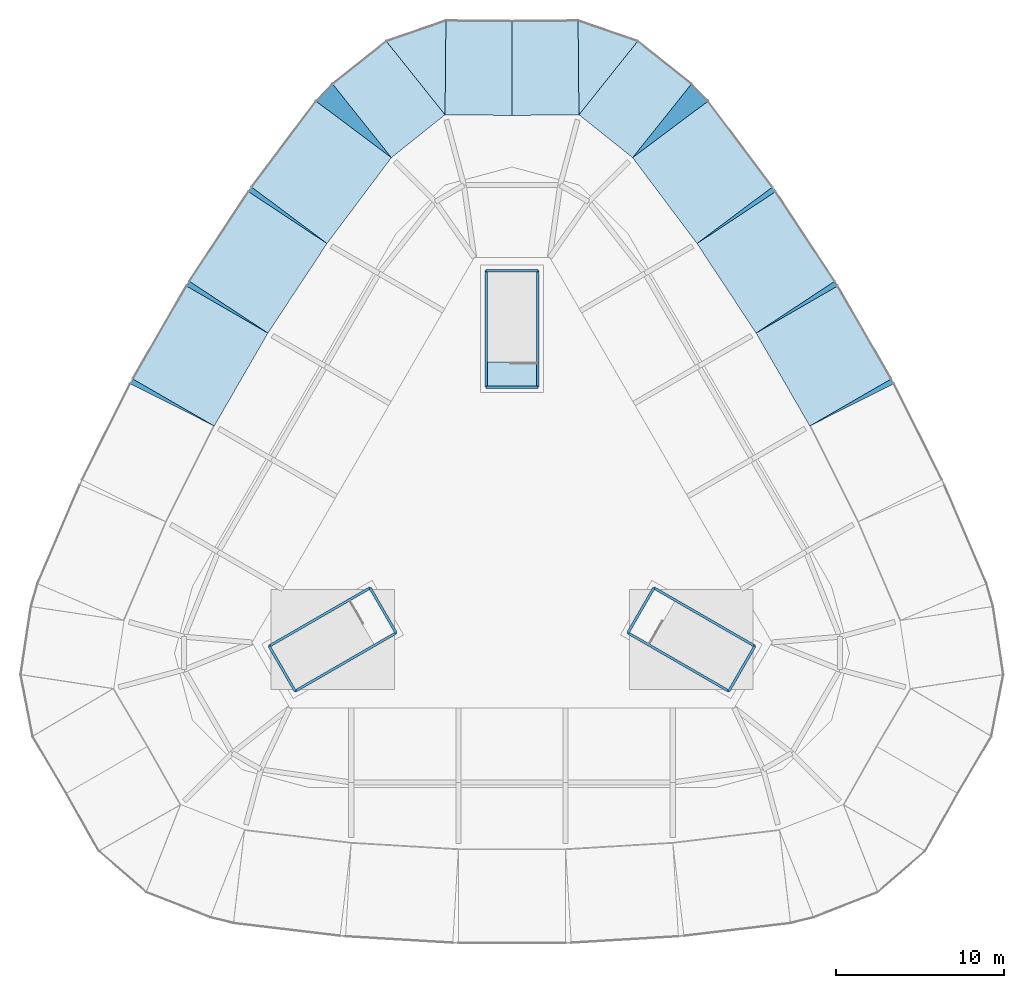
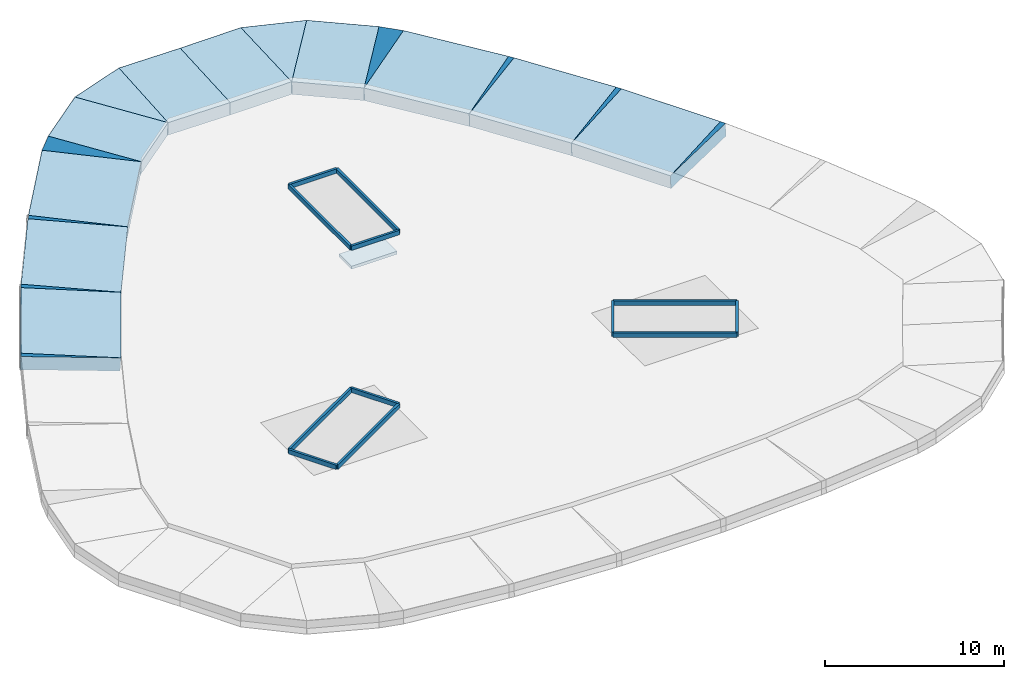
# One storey, part 3 of 9: 21 slabs, 12 walls.
"""IFC4 building model written with IfcOpenShell, lengths in metres."""

import ifcopenshell
import ifcopenshell.guid

model = None  # the IFC model being written
_history = None  # IfcOwnerHistory: only IFC2X3 demands one
_inside = {}  # id of a spatial element -> (the spatial element, [elements in it])
_under = {}  # id of a project, library or spatial element -> (it, [spatial elements below it])
_declared = {}  # id of a project -> (the project, [libraries it declares])
_typed = {}  # id of a type object -> (the type object, [elements of that type])
_made_of = {}  # id of a material, layer set ... -> (it, [elements and type objects made of it])


def new_model(schema):
    """Start an empty IFC model of exactly this schema.

    Asked for "IFC4X3", IfcOpenShell would pick the latest addendum, in which some entities
    have other attributes; the version numbers below select the first issue.
    IFC2X3 requires an IfcOwnerHistory on every rooted entity: one is made here for all.
    """
    global model, _history
    if schema == "IFC4X3":
        model = ifcopenshell.file(schema_version=(4, 3, 0, 0))
    else:
        model = ifcopenshell.file(schema=schema)
    _inside.clear()
    _under.clear()
    _declared.clear()
    _typed.clear()
    _made_of.clear()
    _history = None
    if model.schema == "IFC2X3":
        org = make("IfcOrganization", Name="unknown")
        user = make(
            "IfcPersonAndOrganization",
            ThePerson=make("IfcPerson", FamilyName="unknown"),
            TheOrganization=org,
        )
        app = make(
            "IfcApplication",
            ApplicationDeveloper=org,
            Version="unknown",
            ApplicationFullName="unknown",
            ApplicationIdentifier="unknown",
        )
        _history = make(
            "IfcOwnerHistory",
            OwningUser=user,
            OwningApplication=app,
            ChangeAction="ADDED",
            CreationDate=0,
        )
    return model


def make(cls, **values):
    """One entity of the class cls with the attributes given. An attribute that is None is left unset."""
    return model.create_entity(
        cls, **{name: value for name, value in values.items() if value is not None}
    )


def rooted(cls, **values):
    """An entity with a GlobalId (a new one), such as an element, a storey or a relation."""
    return make(cls, GlobalId=ifcopenshell.guid.new(), OwnerHistory=_history, **values)


def si_unit(unit_type, name, prefix=None):
    """IfcSIUnit, for example si_unit("LENGTHUNIT", "METRE", prefix="MILLI")."""
    return make("IfcSIUnit", UnitType=unit_type, Prefix=prefix, Name=name)


def assignment(units):
    """IfcUnitAssignment: the units of a project."""
    return None if units is None else make("IfcUnitAssignment", Units=units)


def point(xyz):
    """IfcCartesianPoint."""
    return None if xyz is None else make("IfcCartesianPoint", Coordinates=xyz)


def direction(xyz):
    """IfcDirection."""
    return None if xyz is None else make("IfcDirection", DirectionRatios=xyz)


def frame(location, z_axis=None, x_axis=None):
    """IfcAxis2Placement3D, a coordinate frame: its origin and axes. An axis left out is left unset."""
    return make(
        "IfcAxis2Placement3D",
        Location=point(location),
        Axis=direction(z_axis),
        RefDirection=direction(x_axis),
    )


def frame_2d(location, x_axis=None):
    """IfcAxis2Placement2D, a coordinate frame in the plane: its origin and x axis."""
    return make(
        "IfcAxis2Placement2D", Location=point(location), RefDirection=direction(x_axis)
    )


def origin():
    """The frame at (0, 0, 0) with its axes left unset."""
    return frame((0.0, 0.0, 0.0))


def place(relative_to, where):
    """IfcLocalPlacement: puts the frame where relative to a parent placement (None: the world)."""
    return make(
        "IfcLocalPlacement", PlacementRelTo=relative_to, RelativePlacement=where
    )


def context(
    kind, dimensions, precision=None, world=None, true_north=None, identifier=None
):
    """IfcGeometricRepresentationContext, for example the 3D "Model" context."""
    return make(
        "IfcGeometricRepresentationContext",
        ContextIdentifier=identifier,
        ContextType=kind,
        CoordinateSpaceDimension=dimensions,
        Precision=precision,
        WorldCoordinateSystem=world,
        TrueNorth=true_north,
    )


def subcontext(parent, identifier, kind, view, scale=None):
    """IfcGeometricRepresentationSubContext, for example "Body" below "Model"."""
    return make(
        "IfcGeometricRepresentationSubContext",
        ContextIdentifier=identifier,
        ContextType=kind,
        ParentContext=parent,
        TargetScale=scale,
        TargetView=view,
    )


def project(units=None, contexts=None):
    """IfcProject with its units and contexts."""
    return rooted(
        "IfcProject",
        Name="project",
        RepresentationContexts=contexts,
        UnitsInContext=assignment(units),
    )


def spatial(cls, under=None, at=None, **own):
    """A site, building, storey or space (cls), placed at a placement, below another one or the project."""
    s = rooted(cls, ObjectPlacement=at, **own)
    if under is not None:
        _under.setdefault(under.id(), (under, []))[1].append(s)
    return s


def polyline(points):
    """IfcPolyline through the points."""
    return make("IfcPolyline", Points=[point(p) for p in points])


def profile(cls, at=None, kind="AREA", **sizes):
    """A parametric profile (cls). Its sizes go by their IFC names, for example OverallWidth=200.0."""
    return make(cls, ProfileType=kind, Position=at, **sizes)


def rectangle(**sizes):
    """IfcRectangleProfileDef."""
    return profile("IfcRectangleProfileDef", **sizes)


def outline(outer, holes=None, kind="AREA"):
    """IfcArbitraryClosedProfileDef: a profile drawn as a closed curve; with holes, ...WithVoids."""
    if holes is None:
        return make("IfcArbitraryClosedProfileDef", ProfileType=kind, OuterCurve=outer)
    return make(
        "IfcArbitraryProfileDefWithVoids",
        ProfileType=kind,
        OuterCurve=outer,
        InnerCurves=holes,
    )


def extrude(swept, where, along, depth):
    """IfcExtrudedAreaSolid: the profile swept, set in the frame where, extruded along a direction by depth."""
    return make(
        "IfcExtrudedAreaSolid",
        SweptArea=swept,
        Position=where,
        ExtrudedDirection=direction(along),
        Depth=depth,
    )


def shape(context_of_items, identifier, shape_type, items):
    """IfcShapeRepresentation: the items that make up one representation, for example the "Body"."""
    return make(
        "IfcShapeRepresentation",
        ContextOfItems=context_of_items,
        RepresentationIdentifier=identifier,
        RepresentationType=shape_type,
        Items=items,
    )


def material(Name=None, Category=None):
    """IfcMaterial."""
    return make("IfcMaterial", Name=Name, Category=Category)


def layer(
    of_material, thickness, ventilated=None, Name=None, Category=None, Priority=None
):
    """IfcMaterialLayer: one layer of a wall or slab, of a material (None: an air gap)."""
    return make(
        "IfcMaterialLayer",
        Material=of_material,
        LayerThickness=thickness,
        IsVentilated=ventilated,
        Name=Name,
        Category=Category,
        Priority=Priority,
    )


def layer_set(layers, Name=None):
    """IfcMaterialLayerSet."""
    return make("IfcMaterialLayerSet", MaterialLayers=layers, LayerSetName=Name)


def made_of(thing, what):
    """Note that an element or type object is made of a material, layer set ...; save() writes the relation."""
    if what is not None:
        _made_of.setdefault(what.id(), (what, []))[1].append(thing)
    return thing


def type_object(cls, material=None, **own):
    """A type object (cls), such as IfcWallType, which elements share."""
    return made_of(rooted(cls, **own), material)


def element(
    cls,
    number,
    at=None,
    inside=None,
    cuts=None,
    type_object=None,
    material=None,
    context=None,
    identifier="Body",
    shape_type=None,
    held_by="IfcProductDefinitionShape",
    body=None,
    shapes=None,
    **own,
):
    """One element of the class cls, such as IfcWall. Its Tag is "e" and its number.

    at: its placement. inside: the storey or other place that contains it. cuts: it is an
    opening in that element (IfcRelVoidsElement). A single representation is given by context,
    identifier, shape_type and body (its items); several are given by shapes. held_by: the class
    of the entity that holds the representations. save() writes the other relations.
    """
    e = rooted(cls, Tag="e%d" % number, ObjectPlacement=at, **own)
    if body is not None:
        shapes = [shape(context, identifier, shape_type, body)]
    if shapes is not None:
        e.Representation = make(held_by, Representations=shapes)
    if inside is not None:
        _inside.setdefault(inside.id(), (inside, []))[1].append(e)
    if cuts is not None:
        rooted(
            "IfcRelVoidsElement", RelatingBuildingElement=cuts, RelatedOpeningElement=e
        )
    if type_object is not None:
        _typed.setdefault(type_object.id(), (type_object, []))[1].append(e)
    return made_of(e, material)


def aggregate(whole, parts):
    """IfcRelAggregates: a whole, such as a stair, and the parts it consists of."""
    return rooted("IfcRelAggregates", RelatingObject=whole, RelatedObjects=parts)


def save(model, path):
    """Write the relations noted so far, then the file.

    IfcRelAggregates (storeys below a building ...), IfcRelContainedInSpatialStructure (elements
    in a storey), IfcRelDefinesByType, IfcRelAssociatesMaterial and IfcRelDeclares: one each for
    every whole, place, type object, material and project.
    """
    for whole, parts in _under.values():
        aggregate(whole, parts)
    for where, things in _inside.values():
        rooted(
            "IfcRelContainedInSpatialStructure",
            RelatedElements=things,
            RelatingStructure=where,
        )
    for kind, things in _typed.values():
        rooted("IfcRelDefinesByType", RelatedObjects=things, RelatingType=kind)
    for what, things in _made_of.values():
        rooted("IfcRelAssociatesMaterial", RelatedObjects=things, RelatingMaterial=what)
    for by, libraries in _declared.values():
        rooted("IfcRelDeclares", RelatingContext=by, RelatedDefinitions=libraries)
    model.write(path)


model = new_model("IFC4")

# Units and contexts
model_context = context("Model", 3, precision=1e-05, world=origin(), true_north=direction((0.0, 1.0)))
body_context = subcontext(model_context, "Body", "Model", "MODEL_VIEW")
ifc_project = project(units=[si_unit("LENGTHUNIT", "METRE"), si_unit("AREAUNIT", "SQUARE_METRE"), si_unit("VOLUMEUNIT", "CUBIC_METRE"), si_unit("PLANEANGLEUNIT", "RADIAN"), si_unit("MASSUNIT", "GRAM", prefix="KILO")], contexts=[model_context])

# Site, building, storey
site_placement = place(None, origin())
site = spatial("IfcSite", under=ifc_project, at=site_placement, CompositionType="ELEMENT")
building_placement = place(site_placement, origin())
building = spatial("IfcBuilding", under=site, at=building_placement, Name="Mestral Congress Tower", CompositionType="ELEMENT")
storey_placement = place(building_placement, frame((0.0, 0.0, 348.60009765625)))
storey = spatial("IfcBuildingStorey", under=building, at=storey_placement, Name="L81", CompositionType="ELEMENT", Elevation=348.60009765625)

# Slabs
ifc_material_1 = material(Name="Steel S355", Category="steel")
ifc_layer_1 = layer(ifc_material_1, 0.89990234375)
ifc_layer_set_1 = layer_set([ifc_layer_1], Name="Steel S355")
slab_type_1 = type_object("IfcSlabType", Name="Canopy edge plate 900", PredefinedType="ROOF", material=ifc_layer_set_1)
slab_1_placement = place(storey_placement, frame((17.755615234375, 6.556640625, 0.89990234375), z_axis=(-0.049416742279, -0.028531261991, 0.998370648943), x_axis=(-0.499992213026, 0.866029899549, 9.41157e-07)))
element("IfcSlab", 1, at=slab_1_placement, inside=storey, type_object=slab_type_1, Name="SL-L81-CANF-11", PredefinedType="ROOF", context=body_context, shape_type="SweptSolid", body=[
    extrude(outline(polyline([(0.0, 0.0), (6.399026035537984, 0.0), (6.399185418404608, -5.609048783814043), (3.7314455240293794e-05, -5.609259872402829), (0.0, 0.0)])), origin(), (0.0, 0.0, -1.0), 0.89990234375),
])
slab_2_placement = place(storey_placement, frame((14.55615234375, 12.098388671875, 0.89990234375), z_axis=(-0.04762959463, -0.031426497474, 0.998370570966), x_axis=(-0.550723172588, 0.834687957966, 5.98514e-07)))
element("IfcSlab", 2, at=slab_2_placement, inside=storey, type_object=slab_type_1, Name="SL-L81-CANF-12", PredefinedType="ROOF", context=body_context, shape_type="SweptSolid", body=[
    extrude(outline(polyline([(0.0, 0.0), (6.399168003100194, 4.440892098500626e-16), (6.399212908001433, -5.608953103937561), (0.0002486861409752194, -5.609087338747072), (0.0, 0.0)])), origin(), (0.0, 0.0, -1.0), 0.89990234375),
])
slab_3_placement = place(storey_placement, frame((11.031982421875, 17.439697265625, 0.89990234375), z_axis=(-0.04566808471, -0.034212420805, 0.998370640745), x_axis=(-0.599566499574, 0.800324941876, 0.0)))
element("IfcSlab", 3, at=slab_3_placement, inside=storey, type_object=slab_type_1, Name="SL-L81-CANF-13", PredefinedType="ROOF", context=body_context, shape_type="SweptSolid", body=[
    extrude(outline(polyline([(0.0, 0.0), (6.399073204720481, -4.440892098500626e-16), (6.398884435551513, -5.609140228640438), (-0.00018876916896770512, -5.609140228640437), (0.0, 0.0)])), origin(), (0.0, 0.0, -1.0), 0.89990234375),
])
slab_4_placement = place(storey_placement, frame((7.1953125, 22.56103515625, 0.89990234375), z_axis=(-0.035593382996, -0.04460225664, 0.998370547337), x_axis=(-0.781624111354, 0.623749748336, 0.0)))
element("IfcSlab", 4, at=slab_4_placement, inside=storey, type_object=slab_type_1, Name="SL-L81-CANF-14", PredefinedType="ROOF", context=body_context, shape_type="SweptSolid", body=[
    extrude(outline(polyline([(0.0, 0.0), (4.096475851196139, 0.0), (4.096448831428572, -5.6089795857197995), (-2.701976756780411e-05, -5.6089795857198), (0.0, 0.0)])), origin(), (0.0, 0.0, -1.0), 0.89990234375),
])
slab_5_placement = place(storey_placement, frame((3.993408203125, 25.1162109375, 0.89990234375), z_axis=(0.000542571971, -0.057059607642, 0.998370625966), x_axis=(-0.999954524878, -0.009536675224, -1.61428e-06)))
element("IfcSlab", 5, at=slab_5_placement, inside=storey, type_object=slab_type_1, Name="SL-L81-CANF-15", PredefinedType="ROOF", context=body_context, shape_type="SweptSolid", body=[
    extrude(outline(polyline([(0.0, 0.0), (3.9935898156144676, -6.938893903907228e-18), (3.94018065807436, -5.6092262798310495), (-0.0001819367273693999, -5.609001829671348), (0.0, 0.0)])), origin(), (0.0, 0.0, -1.0), 0.89990234375),
])
slab_6_placement = place(storey_placement, frame((0.0, 25.078125, 0.89990234375), z_axis=(-0.000542571971, -0.057059607642, 0.998370625966), x_axis=(-0.999954524878, 0.009536675224, 1.61428e-06)))
element("IfcSlab", 6, at=slab_6_placement, inside=storey, type_object=slab_type_1, Name="SL-L81-CANF-16", PredefinedType="ROOF", context=body_context, shape_type="SweptSolid", body=[
    extrude(outline(polyline([(0.0, 0.0), (3.9935898156144676, 6.938893903907228e-18), (3.993771752341837, -5.609001829671348), (0.0534091575401076, -5.609226279831049), (0.0, 0.0)])), origin(), (0.0, 0.0, -1.0), 0.89990234375),
])
slab_7_placement = place(storey_placement, frame((-3.993408203125, 25.1162109375, 0.89990234375), z_axis=(0.035593382996, -0.04460225664, 0.998370547337), x_axis=(-0.781624111354, -0.623749748336, 0.0)))
element("IfcSlab", 7, at=slab_7_placement, inside=storey, type_object=slab_type_1, Name="SL-L81-CANF-17", PredefinedType="ROOF", context=body_context, shape_type="SweptSolid", body=[
    extrude(outline(polyline([(0.0, 0.0), (4.096475851196139, 0.0), (4.0965028709637075, -5.608979585719801), (2.701976756780411e-05, -5.6089795857198), (0.0, 0.0)])), origin(), (0.0, 0.0, -1.0), 0.89990234375),
])
slab_8_placement = place(storey_placement, frame((-7.1953125, 22.56103515625, 0.89990234375), z_axis=(0.04566808471, -0.034212420805, 0.998370640745), x_axis=(-0.599566499574, -0.800324941876, 0.0)))
element("IfcSlab", 8, at=slab_8_placement, inside=storey, type_object=slab_type_1, Name="SL-L81-CANF-18", PredefinedType="ROOF", context=body_context, shape_type="SweptSolid", body=[
    extrude(outline(polyline([(0.0, 0.0), (6.399073204720481, 4.440892098500626e-16), (6.399261973889448, -5.609140228640437), (0.00018876916896770512, -5.609140228640437), (0.0, 0.0)])), origin(), (0.0, 0.0, -1.0), 0.89990234375),
])
slab_9_placement = place(storey_placement, frame((-11.031982421875, 17.439697265625, 0.89990234375), z_axis=(0.04762959463, -0.031426497474, 0.998370570966), x_axis=(-0.550723172588, -0.834687957966, -5.98514e-07)))
element("IfcSlab", 9, at=slab_9_placement, inside=storey, type_object=slab_type_1, Name="SL-L81-CANF-19", PredefinedType="ROOF", context=body_context, shape_type="SweptSolid", body=[
    extrude(outline(polyline([(0.0, 0.0), (6.399168003100194, -4.440892098500626e-16), (6.398919316959218, -5.609087338747072), (-4.490490123703169e-05, -5.608953103937561), (0.0, 0.0)])), origin(), (0.0, 0.0, -1.0), 0.89990234375),
])
slab_10_placement = place(storey_placement, frame((-14.55615234375, 12.098388671875, 0.89990234375), z_axis=(0.049416742279, -0.028531261991, 0.998370648943), x_axis=(-0.499992213026, -0.866029899549, -9.41157e-07)))
element("IfcSlab", 10, at=slab_10_placement, inside=storey, type_object=slab_type_1, Name="SL-L81-CANF-20", PredefinedType="ROOF", context=body_context, shape_type="SweptSolid", body=[
    extrude(outline(polyline([(0.0, 0.0), (6.399026035537984, 0.0), (6.398988721082744, -5.609259872402829), (-0.00015938286662369632, -5.609048783814043), (0.0, 0.0)])), origin(), (0.0, 0.0, -1.0), 0.89990234375),
])
slab_11_placement = place(storey_placement, frame((17.755615234375, 6.556640625, 0.89990234375), z_axis=(-0.05025950905, -0.027069229356, 0.998369289678), x_axis=(0.8928480589, 0.446728696332, 0.057059754569)))
element("IfcSlab", 11, at=slab_11_placement, inside=storey, type_object=slab_type_1, Name="SL-L81-CANW-11", PredefinedType="ROOF", context=body_context, shape_type="SweptSolid", body=[
    extrude(outline(polyline([(0.0, 0.0), (5.60935394474424, 8.263788958684515e-16), (5.5993074820620246, 0.3339940701593384), (0.0, 0.0)])), origin(), (0.0, 0.0, -1.0), 0.89990234375),
])
slab_12_placement = place(storey_placement, frame((14.55615234375, 12.098388671875, 0.89990234375), z_axis=(-0.04856923731, -0.030001101053, 0.998369151728), x_axis=(0.864604598739, 0.4992020813, 0.057062858888)))
element("IfcSlab", 12, at=slab_12_placement, inside=storey, type_object=slab_type_1, Name="SL-L81-CANW-12", PredefinedType="ROOF", context=body_context, shape_type="SweptSolid", body=[
    extrude(outline(polyline([(0.0, 0.0), (5.609048786081743, -1.7520707107365752e-16), (5.599141685529867, 0.3338760562154513), (0.0, 0.0)])), origin(), (0.0, 0.0, -1.0), 0.89990234375),
])
slab_13_placement = place(storey_placement, frame((11.031982421875, 17.439697265625, 0.89990234375), z_axis=(-0.046709643798, -0.032821865776, 0.998369137295), x_axis=(0.833323470327, 0.549832440698, 0.057063832311)))
element("IfcSlab", 13, at=slab_13_placement, inside=storey, type_object=slab_type_1, Name="SL-L81-CANW-13", PredefinedType="ROOF", context=body_context, shape_type="SweptSolid", body=[
    extrude(outline(polyline([(0.0, 0.0), (5.608953104118626, -5.40474782984024e-16), (5.5991842472911975, 0.33405075224046976), (0.0, 0.0)])), origin(), (0.0, 0.0, -1.0), 0.89990234375),
])
slab_14_placement = place(storey_placement, frame((7.1953125, 22.56103515625, 0.89990234375), z_axis=(-0.041290114986, -0.04005418003, 0.998344023404), x_axis=(0.799041102294, 0.598562655994, 0.057061928593)))
element("IfcSlab", 14, at=slab_14_placement, inside=storey, type_object=slab_type_1, Name="SL-L81-CANW-14", PredefinedType="ROOF", context=body_context, shape_type="SweptSolid", body=[
    extrude(outline(polyline([(0.0, 0.0), (5.609140231816844, 7.24247051220317e-17), (5.429130990127506, 1.4089672408500706), (0.0, 0.0)])), origin(), (0.0, 0.0, -1.0), 0.89990234375),
])
slab_15_placement = place(storey_placement, frame((3.993408203125, 25.1162109375, 0.89990234375), z_axis=(-0.019736093414, -0.057241764544, 0.998165250351), x_axis=(0.622737142907, 0.780347487107, 0.057063562896)))
element("IfcSlab", 15, at=slab_15_placement, inside=storey, type_object=slab_type_1, Name="SL-L81-CANW-15", PredefinedType="ROOF", context=body_context, shape_type="SweptSolid", body=[
    extrude(outline(polyline([(0.0, 0.0), (5.608979585784881, -2.8102520310824275e-16), (4.354761620625484, 3.5351029385191186), (0.0, 0.0)])), origin(), (0.0, 0.0, -1.0), 0.89990234375),
])
slab_16_placement = place(storey_placement, frame((-3.993408203125, 25.1162109375, 0.89990234375), z_axis=(0.019736093414, -0.057241764544, 0.998165250351), x_axis=(0.009488792808, 0.998325467185, 0.057063336566)))
element("IfcSlab", 16, at=slab_16_placement, inside=storey, type_object=slab_type_1, Name="SL-L81-CANW-17", PredefinedType="ROOF", context=body_context, shape_type="SweptSolid", body=[
    extrude(outline(polyline([(0.0, 0.0), (5.609001832625766, 6.938893903907228e-18), (4.354744348445556, 3.535088917330512), (0.0, 0.0)])), origin(), (0.0, 0.0, -1.0), 0.89990234375),
])
slab_17_placement = place(storey_placement, frame((-7.1953125, 22.56103515625, 0.89990234375), z_axis=(0.041290114986, -0.04005418003, 0.998344023404), x_axis=(-0.622737142907, 0.780347487107, 0.057063562896)))
element("IfcSlab", 17, at=slab_17_placement, inside=storey, type_object=slab_type_1, Name="SL-L81-CANW-18", PredefinedType="ROOF", context=body_context, shape_type="SweptSolid", body=[
    extrude(outline(polyline([(0.0, 0.0), (5.608979585784881, -3.95516952522712e-16), (5.429286485139964, 1.4090075948918264), (0.0, 0.0)])), origin(), (0.0, 0.0, -1.0), 0.89990234375),
])
slab_18_placement = place(storey_placement, frame((-11.031982421875, 17.439697265625, 0.89990234375), z_axis=(0.046709643798, -0.032821865776, 0.998369137295), x_axis=(-0.799041102294, 0.598562655994, 0.057061928593)))
element("IfcSlab", 18, at=slab_18_placement, inside=storey, type_object=slab_type_1, Name="SL-L81-CANW-19", PredefinedType="ROOF", context=body_context, shape_type="SweptSolid", body=[
    extrude(outline(polyline([(0.0, 0.0), (5.609140231816844, -5.494736610156536e-16), (5.598997451736658, 0.33403960790358933), (0.0, 0.0)])), origin(), (0.0, 0.0, -1.0), 0.89990234375),
])
slab_19_placement = place(storey_placement, frame((-14.55615234375, 12.098388671875, 0.89990234375), z_axis=(0.04856923731, -0.030001101053, 0.998369151728), x_axis=(-0.833303526715, 0.549862807678, 0.057062466624)))
element("IfcSlab", 19, at=slab_19_placement, inside=storey, type_object=slab_type_1, Name="SL-L81-CANW-20", PredefinedType="ROOF", context=body_context, shape_type="SweptSolid", body=[
    extrude(outline(polyline([(0.0, 0.0), (5.609087344261294, -3.397889608569571e-16), (5.599103195719103, 0.3338737610732775), (0.0, 0.0)])), origin(), (0.0, 0.0, -1.0), 0.89990234375),
])
slab_20_placement = place(storey_placement, frame((-17.755615234375, 6.556640625, 0.89990234375), z_axis=(0.05025950905, -0.027069229356, 0.998369289678), x_axis=(-0.864615586697, 0.499183295436, 0.057060711511)))
element("IfcSlab", 20, at=slab_20_placement, inside=storey, type_object=slab_type_1, Name="SL-L81-CANW-21", PredefinedType="ROOF", context=body_context, shape_type="SweptSolid", body=[
    extrude(outline(polyline([(0.0, 0.0), (5.6092598725301865, 8.348356728138384e-18), (5.599401387365749, 0.3339996715332041), (0.0, 0.0)])), origin(), (0.0, 0.0, -1.0), 0.89990234375),
])
ifc_material_2 = material(Name="Concrete C60/75", Category="concrete")
ifc_layer_2 = layer(ifc_material_2, 0.199951171875)
ifc_layer_set_2 = layer_set([ifc_layer_2], Name="Concrete C60/75")
slab_type_2 = type_object("IfcSlabType", Name="Exit stair landing 200", PredefinedType="LANDING", material=ifc_layer_set_2)
slab_21_placement = place(storey_placement, frame((0.0, 0.0, -0.2001953125)))
element("IfcSlab", 21, at=slab_21_placement, inside=storey, type_object=slab_type_2, Name="L81 ST2 top landing", PredefinedType="LANDING", context=body_context, shape_type="SweptSolid", body=[
    extrude(outline(polyline([(1.47509765625, 10.360107421875), (1.47509765625, 8.949951171875), (-1.47509765625, 8.949951171875), (-1.47509765625, 10.360107421875), (1.47509765625, 10.360107421875)])), origin(), (0.0, 0.0, 1.0), 0.2001953125),
])

# Walls
ifc_layer_3 = layer(ifc_material_1, 0.14990234375)
ifc_layer_set_3 = layer_set([ifc_layer_3], Name="Steel S355")
wall_type = type_object("IfcWallType", Name="Roof hatch curb 150 S355", PredefinedType="SOLIDWALL", material=ifc_layer_set_3)
wall_1_placement = place(storey_placement, frame((6.910888671875, -5.77978515625, 1.199951171875), z_axis=(0.0, 0.0, 1.0), x_axis=(0.866025305473, -0.500000170281, 0.0)))
element("IfcWall", 22, at=wall_1_placement, inside=storey, type_object=wall_type, Name="WL-L81-HATCH1-00", PredefinedType="SOLIDWALL", context=body_context, shape_type="SweptSolid", body=[
    extrude(rectangle(XDim=6.9501953125, YDim=0.14990234375, at=frame_2d((3.47509765625, 0.0))), origin(), (0.0, 0.0, 1.0), 0.300048828125),
])
wall_2_placement = place(storey_placement, frame((12.929931640625, -9.2548828125, 1.199951171875), z_axis=(0.0, 0.0, 1.0), x_axis=(0.500026960575, 0.86600983753, 0.0)))
element("IfcWall", 23, at=wall_2_placement, inside=storey, type_object=wall_type, Name="WL-L81-HATCH1-01", PredefinedType="SOLIDWALL", context=body_context, shape_type="SweptSolid", body=[
    extrude(rectangle(XDim=3.099853515625, YDim=0.14990234375, at=frame_2d((1.5498046875, 0.0))), origin(), (0.0, 0.0, 1.0), 0.300048828125),
])
wall_3_placement = place(storey_placement, frame((14.47998046875, -6.5703125, 1.199951171875), z_axis=(0.0, 0.0, 1.0), x_axis=(-0.866025305473, 0.500000170281, 0.0)))
element("IfcWall", 24, at=wall_3_placement, inside=storey, type_object=wall_type, Name="WL-L81-HATCH1-02", PredefinedType="SOLIDWALL", context=body_context, shape_type="SweptSolid", body=[
    extrude(rectangle(XDim=6.9501953125, YDim=0.14990234375, at=frame_2d((3.47509765625, 0.0))), origin(), (0.0, 0.0, 1.0), 0.300048828125),
])
wall_4_placement = place(storey_placement, frame((8.4609375, -3.09521484375, 1.199951171875), z_axis=(0.0, 0.0, 1.0), x_axis=(-0.500026960575, -0.86600983753, 0.0)))
element("IfcWall", 25, at=wall_4_placement, inside=storey, type_object=wall_type, Name="WL-L81-HATCH1-03", PredefinedType="SOLIDWALL", context=body_context, shape_type="SweptSolid", body=[
    extrude(rectangle(XDim=3.099853515625, YDim=0.14990234375, at=frame_2d((1.5498046875, 0.0))), origin(), (0.0, 0.0, 1.0), 0.300048828125),
])
wall_5_placement = place(storey_placement, frame((1.550048828125, 8.875, 1.199951171875), z_axis=(0.0, 0.0, 1.0), x_axis=(0.0, 1.0, 0.0)))
element("IfcWall", 26, at=wall_5_placement, inside=storey, type_object=wall_type, Name="WL-L81-HATCH2-00", PredefinedType="SOLIDWALL", context=body_context, shape_type="SweptSolid", body=[
    extrude(rectangle(XDim=6.949951171875, YDim=0.14990234375, at=frame_2d((3.47509765625, 0.0))), origin(), (0.0, 0.0, 1.0), 0.300048828125),
])
wall_6_placement = place(storey_placement, frame((1.550048828125, 15.824951171875, 1.199951171875), z_axis=(0.0, 0.0, 1.0), x_axis=(-1.0, 0.0, 0.0)))
element("IfcWall", 27, at=wall_6_placement, inside=storey, type_object=wall_type, Name="WL-L81-HATCH2-01", PredefinedType="SOLIDWALL", context=body_context, shape_type="SweptSolid", body=[
    extrude(rectangle(XDim=3.10009765625, YDim=0.14990234375, at=frame_2d((1.550048828125, 0.0))), origin(), (0.0, 0.0, 1.0), 0.300048828125),
])
wall_7_placement = place(storey_placement, frame((-1.550048828125, 15.824951171875, 1.199951171875), z_axis=(0.0, 0.0, 1.0), x_axis=(0.0, -1.0, 0.0)))
element("IfcWall", 28, at=wall_7_placement, inside=storey, type_object=wall_type, Name="WL-L81-HATCH2-02", PredefinedType="SOLIDWALL", context=body_context, shape_type="SweptSolid", body=[
    extrude(rectangle(XDim=6.949951171875, YDim=0.14990234375, at=frame_2d((3.47509765625, 0.0))), origin(), (0.0, 0.0, 1.0), 0.300048828125),
])
wall_8_placement = place(storey_placement, frame((-1.550048828125, 8.875, 1.199951171875), z_axis=(0.0, 0.0, 1.0), x_axis=(1.0, 0.0, 0.0)))
element("IfcWall", 29, at=wall_8_placement, inside=storey, type_object=wall_type, Name="WL-L81-HATCH2-03", PredefinedType="SOLIDWALL", context=body_context, shape_type="SweptSolid", body=[
    extrude(rectangle(XDim=3.10009765625, YDim=0.14990234375, at=frame_2d((1.550048828125, 0.0))), origin(), (0.0, 0.0, 1.0), 0.300048828125),
])
wall_9_placement = place(storey_placement, frame((-8.4609375, -3.09521484375, 1.199951171875), z_axis=(0.0, 0.0, 1.0), x_axis=(-0.866025305473, -0.500000170281, 0.0)))
element("IfcWall", 30, at=wall_9_placement, inside=storey, type_object=wall_type, Name="WL-L81-HATCH3-00", PredefinedType="SOLIDWALL", context=body_context, shape_type="SweptSolid", body=[
    extrude(rectangle(XDim=6.9501953125, YDim=0.14990234375, at=frame_2d((3.47509765625, 0.0))), origin(), (0.0, 0.0, 1.0), 0.300048828125),
])
wall_10_placement = place(storey_placement, frame((-14.47998046875, -6.5703125, 1.199951171875), z_axis=(0.0, 0.0, 1.0), x_axis=(0.500026960575, -0.86600983753, 0.0)))
element("IfcWall", 31, at=wall_10_placement, inside=storey, type_object=wall_type, Name="WL-L81-HATCH3-01", PredefinedType="SOLIDWALL", context=body_context, shape_type="SweptSolid", body=[
    extrude(rectangle(XDim=3.099853515625, YDim=0.14990234375, at=frame_2d((1.5498046875, 0.0))), origin(), (0.0, 0.0, 1.0), 0.300048828125),
])
wall_11_placement = place(storey_placement, frame((-12.929931640625, -9.2548828125, 1.199951171875), z_axis=(0.0, 0.0, 1.0), x_axis=(0.866025305473, 0.500000170281, 0.0)))
element("IfcWall", 32, at=wall_11_placement, inside=storey, type_object=wall_type, Name="WL-L81-HATCH3-02", PredefinedType="SOLIDWALL", context=body_context, shape_type="SweptSolid", body=[
    extrude(rectangle(XDim=6.9501953125, YDim=0.14990234375, at=frame_2d((3.47509765625, 0.0))), origin(), (0.0, 0.0, 1.0), 0.300048828125),
])
wall_12_placement = place(storey_placement, frame((-6.910888671875, -5.77978515625, 1.199951171875), z_axis=(0.0, 0.0, 1.0), x_axis=(-0.500026960575, 0.86600983753, 0.0)))
element("IfcWall", 33, at=wall_12_placement, inside=storey, type_object=wall_type, Name="WL-L81-HATCH3-03", PredefinedType="SOLIDWALL", context=body_context, shape_type="SweptSolid", body=[
    extrude(rectangle(XDim=3.099853515625, YDim=0.14990234375, at=frame_2d((1.5498046875, 0.0))), origin(), (0.0, 0.0, 1.0), 0.300048828125),
])

save(model, "model.ifc")
